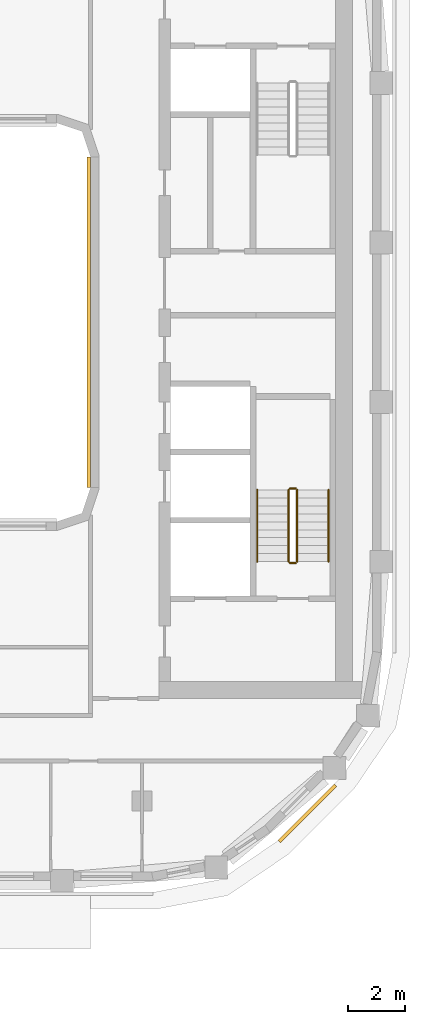
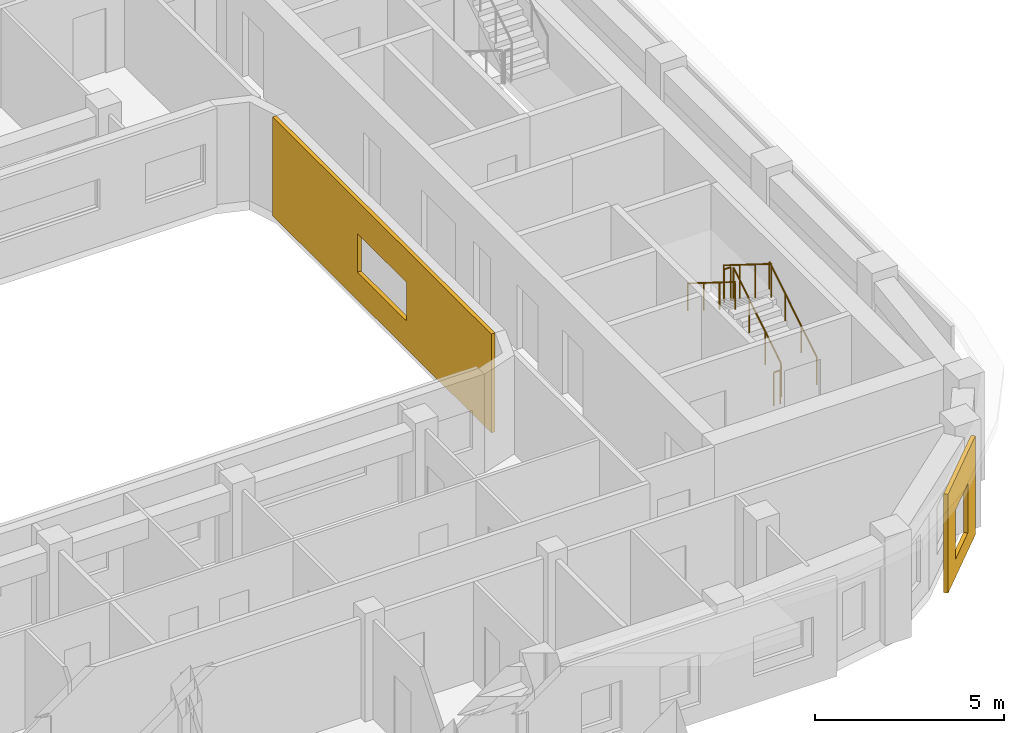
# One storey, part 15 of 18: 6 railings, 2 coverings.
"""IFC4 building model written with IfcOpenShell, lengths in metres."""

from ifc_helpers import new_model, si_unit, direction, frame, origin, origin_2d, place, context, subcontext, project, spatial, polyline, circle, outline, extrude, material, layer, layer_set, type_object, element, save


model = new_model("IFC4")

# Units and contexts
model_context = context("Model", 3, precision=1e-05, world=origin(), true_north=direction((0.0, 1.0)))
body_context = subcontext(model_context, "Body", "Model", "MODEL_VIEW")
ifc_project = project(units=[si_unit("LENGTHUNIT", "METRE"), si_unit("AREAUNIT", "SQUARE_METRE"), si_unit("VOLUMEUNIT", "CUBIC_METRE"), si_unit("PLANEANGLEUNIT", "RADIAN"), si_unit("MASSUNIT", "GRAM", prefix="KILO")], contexts=[model_context])

# Site, building, storey
site_placement = place(None, origin())
site = spatial("IfcSite", under=ifc_project, at=site_placement, CompositionType="ELEMENT")
building_placement = place(site_placement, origin())
building = spatial("IfcBuilding", under=site, at=building_placement, Name="Kiln Ring Residences", CompositionType="ELEMENT")
storey_placement = place(building_placement, frame((0.0, 0.0, 262.699951171875)))
storey = spatial("IfcBuildingStorey", under=building, at=storey_placement, Name="L68", CompositionType="ELEMENT", Elevation=262.699951171875)

# Railings
ifc_material_1 = material(Name="Stainless steel", Category="steel")
railing_type_1 = type_object("IfcRailingType", Name="CORE-STAIR-GUARD", PredefinedType="GUARDRAIL", material=ifc_material_1)
railing_1_placement = place(storey_placement, frame((22.25, -8.39990234375, 0.175048828125)))
element("IfcRailing", 1, at=railing_1_placement, inside=storey, type_object=railing_type_1, Name="L68 E-STS stair guard 1", PredefinedType="GUARDRAIL", context=body_context, shape_type="SweptSolid", body=[
    extrude(circle(Radius=0.02392578125, at=origin_2d()), frame((0.0, 0.0, 1.076171875), z_axis=(0.0, 0.848007534815, 0.529984170421), x_axis=(-1.0, 0.0, 0.0)), (0.0, 0.0, 1.0), 2.9716796875),
    extrude(circle(Radius=0.02099609375, at=origin_2d()), origin(), (0.0, 0.0, 1.0), 1.052001953125),
    extrude(circle(Radius=0.02099609375, at=origin_2d()), frame((0.0, 0.840087890625, 0.52490234375)), (0.0, 0.0, 1.0), 1.052001953125),
    extrude(circle(Radius=0.02099609375, at=origin_2d()), frame((0.0, 1.679931640625, 1.050048828125)), (0.0, 0.0, 1.0), 1.052001953125),
    extrude(circle(Radius=0.02099609375, at=origin_2d()), frame((0.0, 2.52001953125, 1.574951171875)), (0.0, 0.0, 1.0), 1.052001953125),
])
railing_2_placement = place(storey_placement, frame((22.199951171875, -5.830078125, 1.75)))
element("IfcRailing", 2, at=railing_2_placement, inside=storey, type_object=railing_type_1, Name="L68 E-STS stair guard 2", PredefinedType="GUARDRAIL", context=body_context, shape_type="SweptSolid", body=[
    extrude(circle(Radius=0.02392578125, at=origin_2d()), frame((0.0, 0.0, 1.076171875), z_axis=(-1.0, 0.0, 0.0), x_axis=(0.0, -1.0, 0.0)), (0.0, 0.0, 1.0), 0.199951171875),
    extrude(circle(Radius=0.02099609375, at=origin_2d()), origin(), (0.0, 0.0, 1.0), 1.052001953125),
    extrude(circle(Radius=0.02099609375, at=origin_2d()), frame((-0.199951171875, 0.0, 0.0)), (0.0, 0.0, 1.0), 1.052001953125),
])
railing_3_placement = place(storey_placement, frame((21.949951171875, -5.8798828125, 1.925048828125)))
element("IfcRailing", 3, at=railing_3_placement, inside=storey, type_object=railing_type_1, Name="L68 E-STS stair guard 3", PredefinedType="GUARDRAIL", context=body_context, shape_type="SweptSolid", body=[
    extrude(circle(Radius=0.02392578125, at=origin_2d()), frame((0.0, 0.0, 1.076171875), z_axis=(0.0, -0.848007534815, 0.529984170421), x_axis=(1.0, 0.0, 0.0)), (0.0, 0.0, 1.0), 2.9716796875),
    extrude(circle(Radius=0.02099609375, at=origin_2d()), origin(), (0.0, 0.0, 1.0), 1.052001953125),
    extrude(circle(Radius=0.02099609375, at=origin_2d()), frame((0.0, -0.840087890625, 0.52490234375)), (0.0, 0.0, 1.0), 1.052001953125),
    extrude(circle(Radius=0.02099609375, at=origin_2d()), frame((0.0, -1.679931640625, 1.050048828125)), (0.0, 0.0, 1.0), 1.052001953125),
    extrude(circle(Radius=0.02099609375, at=origin_2d()), frame((0.0, -2.52001953125, 1.574951171875)), (0.0, 0.0, 1.0), 1.052001953125),
])
railing_4_placement = place(storey_placement, frame((22.199951171875, -8.449951171875, 0.0)))
element("IfcRailing", 4, at=railing_4_placement, inside=storey, type_object=railing_type_1, Name="L68 E-STS stair guard 4", PredefinedType="GUARDRAIL", context=body_context, shape_type="SweptSolid", body=[
    extrude(circle(Radius=0.02392578125, at=origin_2d()), frame((0.0, 0.0, 1.076171875), z_axis=(-1.0, 0.0, 0.0), x_axis=(0.0, -1.0, 0.0)), (0.0, 0.0, 1.0), 0.199951171875),
    extrude(circle(Radius=0.02099609375, at=origin_2d()), origin(), (0.0, 0.0, 1.0), 1.052001953125),
    extrude(circle(Radius=0.02099609375, at=origin_2d()), frame((-0.199951171875, 0.0, 0.0)), (0.0, 0.0, 1.0), 1.052001953125),
])
ifc_material_2 = material(Name="Stainless steel", Category="steel")
railing_type_2 = type_object("IfcRailingType", Name="CORE-STAIR-HANDRAIL", PredefinedType="HANDRAIL", material=ifc_material_2)
railing_5_placement = place(storey_placement, frame((23.35009765625, -8.39990234375, 0.175048828125)))
element("IfcRailing", 5, at=railing_5_placement, inside=storey, type_object=railing_type_2, Name="L68 E-STS stair handrail 1", PredefinedType="HANDRAIL", context=body_context, shape_type="SweptSolid", body=[
    extrude(circle(Radius=0.02392578125, at=origin_2d()), frame((0.0, 0.0, 0.8759765625), z_axis=(0.0, 0.848007534815, 0.529984170421), x_axis=(-1.0, 0.0, 0.0)), (0.0, 0.0, 1.0), 2.9716796875),
    extrude(circle(Radius=0.02099609375, at=origin_2d()), origin(), (0.0, 0.0, 1.0), 0.851806640625),
    extrude(circle(Radius=0.02099609375, at=origin_2d()), frame((0.0, 0.840087890625, 0.52490234375)), (0.0, 0.0, 1.0), 0.851806640625),
    extrude(circle(Radius=0.02099609375, at=origin_2d()), frame((0.0, 1.679931640625, 1.050048828125)), (0.0, 0.0, 1.0), 0.851806640625),
    extrude(circle(Radius=0.02099609375, at=origin_2d()), frame((0.0, 2.52001953125, 1.574951171875)), (0.0, 0.0, 1.0), 0.851806640625),
])
railing_6_placement = place(storey_placement, frame((20.85009765625, -5.8798828125, 1.925048828125)))
element("IfcRailing", 6, at=railing_6_placement, inside=storey, type_object=railing_type_2, Name="L68 E-STS stair handrail 2", PredefinedType="HANDRAIL", context=body_context, shape_type="SweptSolid", body=[
    extrude(circle(Radius=0.02392578125, at=origin_2d()), frame((0.0, 0.0, 0.8759765625), z_axis=(0.0, -0.848007534815, 0.529984170421), x_axis=(1.0, 0.0, 0.0)), (0.0, 0.0, 1.0), 2.9716796875),
    extrude(circle(Radius=0.02099609375, at=origin_2d()), origin(), (0.0, 0.0, 1.0), 0.851806640625),
    extrude(circle(Radius=0.02099609375, at=origin_2d()), frame((0.0, -0.840087890625, 0.52490234375)), (0.0, 0.0, 1.0), 0.851806640625),
    extrude(circle(Radius=0.02099609375, at=origin_2d()), frame((0.0, -1.679931640625, 1.050048828125)), (0.0, 0.0, 1.0), 0.851806640625),
    extrude(circle(Radius=0.02099609375, at=origin_2d()), frame((0.0, -2.52001953125, 1.574951171875)), (0.0, 0.0, 1.0), 0.851806640625),
])

# Coverings
ifc_material_3 = material(Name="Brick masonry, dark clay brick", Category="masonry")
ifc_layer = layer(ifc_material_3, 0.1201171875)
ifc_layer_set = layer_set([ifc_layer], Name="RAINSCREEN PANEL 120")
covering_type = type_object("IfcCoveringType", Name="RAINSCREEN PANEL 120", PredefinedType="CLADDING", material=ifc_layer_set)
covering_1_placement = place(storey_placement, frame((21.622314453125, -18.228271484375, 0.0), z_axis=(0.0, 0.0, 1.0), x_axis=(0.707106781187, 0.707106781187, 0.0)))
element("IfcCovering", 7, at=covering_1_placement, inside=storey, type_object=covering_type, Name="RAINSCREEN L68", PredefinedType="CLADDING", context=body_context, shape_type="SweptSolid", body=[
    extrude(outline(polyline([(0.0, 0.0), (2.800048828125, 0.0), (2.800048828125, 3.199951171875), (0.0, 3.199951171875), (0.0, 0.0)]), holes=[polyline([(0.780029296875, 2.170166015625), (0.780029296875, 0.580078125), (2.02001953125, 0.580078125), (2.02001953125, 2.170166015625), (0.780029296875, 2.170166015625)])]), frame((0.0, 0.06005859375, 0.0), z_axis=(0.0, -1.0, 0.0), x_axis=(1.0, 0.0, 0.0)), (0.0, 0.0, 1.0), 0.1201171875),
])
covering_2_placement = place(storey_placement, frame((14.93994140625, 5.800048828125, 0.0), z_axis=(0.0, 0.0, 1.0), x_axis=(0.0, -1.0, 0.0)))
element("IfcCovering", 8, at=covering_2_placement, inside=storey, type_object=covering_type, Name="RAINSCREEN L68", PredefinedType="CLADDING", context=body_context, shape_type="SweptSolid", body=[
    extrude(outline(polyline([(0.0, 0.0), (11.60009765625, 0.0), (11.60009765625, 3.199951171875), (0.0, 3.199951171875), (0.0, 0.0)]), holes=[polyline([(4.5, 2.150146484375), (4.5, 0.900146484375), (7.10009765625, 0.900146484375), (7.10009765625, 2.150146484375), (4.5, 2.150146484375)])]), frame((0.0, 0.06005859375, 0.0), z_axis=(0.0, -1.0, 0.0), x_axis=(1.0, 0.0, 0.0)), (0.0, 0.0, 1.0), 0.1201171875),
])

save(model, "model.ifc")
